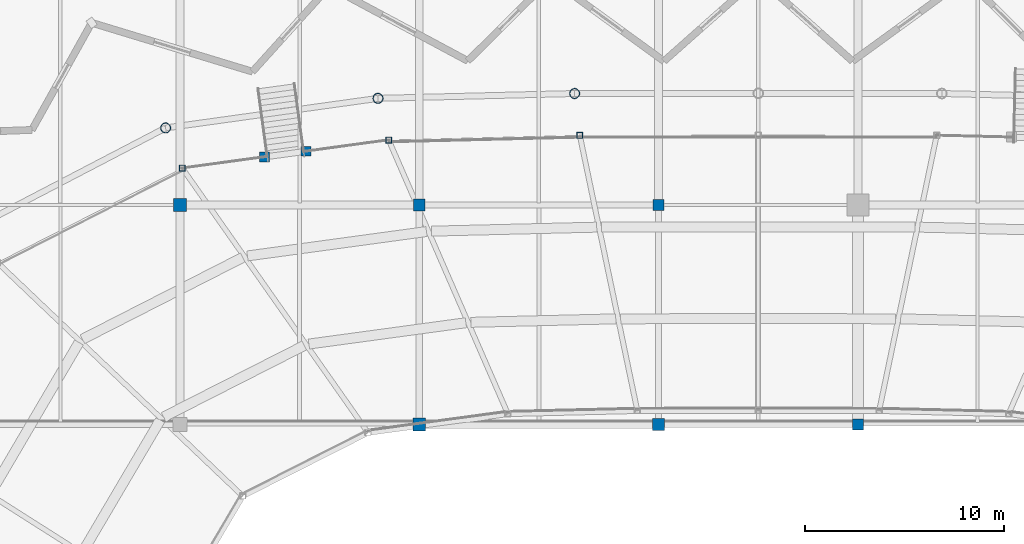
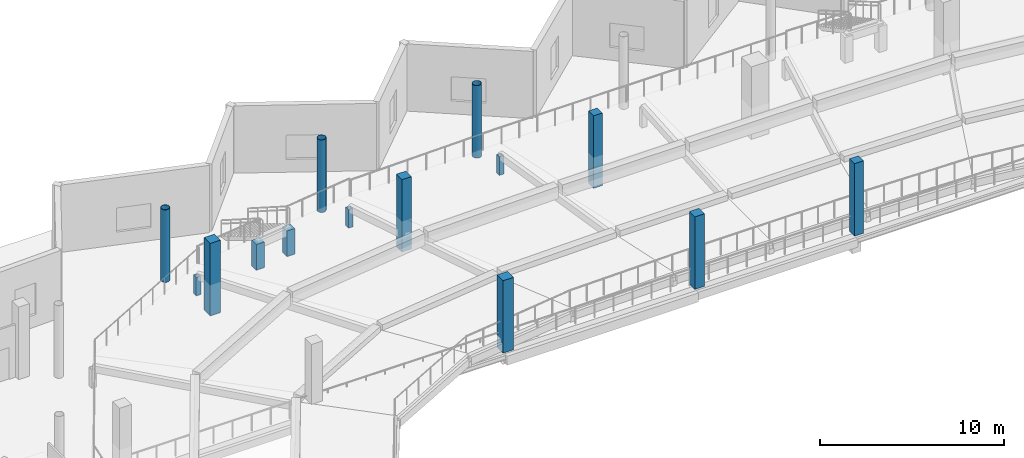
# One storey, part 10 of 77: 14 columns.
"""IFC4 building model written with IfcOpenShell, lengths in metres."""

from ifc_helpers import new_model, si_unit, direction, frame, origin, origin_2d, place, context, subcontext, project, spatial, rectangle, hollow_rectangle, hollow_circle, extrude, material, material_profile, profile_set, type_object, element, save


model = new_model("IFC4")

# Units and contexts
model_context = context("Model", 3, precision=1e-05, world=origin(), true_north=direction((0.0, 1.0)))
body_context = subcontext(model_context, "Body", "Model", "MODEL_VIEW")
ifc_project = project(units=[si_unit("LENGTHUNIT", "METRE"), si_unit("AREAUNIT", "SQUARE_METRE"), si_unit("VOLUMEUNIT", "CUBIC_METRE"), si_unit("PLANEANGLEUNIT", "RADIAN"), si_unit("MASSUNIT", "GRAM", prefix="KILO")], contexts=[model_context])

# Site, building, storey
site_placement = place(None, origin())
site = spatial("IfcSite", under=ifc_project, at=site_placement, CompositionType="ELEMENT")
building_placement = place(site_placement, origin())
building = spatial("IfcBuilding", under=site, at=building_placement, Name="Luwafu Chhajja Arena", CompositionType="ELEMENT")
storey_placement = place(building_placement, frame((0.0, 0.0, 14.699951171875)))
storey = spatial("IfcBuildingStorey", under=building, at=storey_placement, Name="L03", CompositionType="ELEMENT", Elevation=14.699951171875)

# Columns
ifc_material_1 = material(Name="Concrete C35/45", Category="concrete")
ifc_material_profile_1 = material_profile(ifc_material_1, rectangle(XDim=0.550048828125, YDim=0.550048828125, at=origin_2d()), Name="RC 550x550")
ifc_profile_set_1 = profile_set([ifc_material_profile_1], Name="Concrete C35/45")
column_type_1 = type_object("IfcColumnType", Name="Gallery Column RC 550", PredefinedType="COLUMN", material=ifc_profile_set_1)
for number, where, z_axis, x_axis, name in (
    (1, (94.0, 88.0, 0.0), (0.0, 0.0, 1.0), (1.0, 0.0, 0.0), "L03 Grid Column 9/J"),
    (2, (104.0, 77.0, 0.0), (0.0, 0.0, 1.0), (1.0, 0.0, 0.0), "L03 Grid Column 10/H"),
):
    element("IfcColumn", number, at=place(storey_placement, frame(where, z_axis=z_axis, x_axis=x_axis)), inside=storey, type_object=column_type_1, Name=name, PredefinedType="COLUMN", context=body_context, shape_type="SweptSolid", body=[
        extrude(rectangle(XDim=0.550048828125, YDim=0.550048828125, at=origin_2d()), origin(), (0.0, 0.0, 1.0), 4.800048828125),
    ])
ifc_material_profile_2 = material_profile(ifc_material_1, rectangle(XDim=0.60009765625, YDim=0.60009765625, at=origin_2d()), Name="RC 600x600")
ifc_profile_set_2 = profile_set([ifc_material_profile_2], Name="Concrete C35/45")
column_type_2 = type_object("IfcColumnType", Name="Mezzanine Column RC 600", PredefinedType="COLUMN", material=ifc_profile_set_2)
for number, where, z_axis, x_axis, name in (
    (3, (82.0, 88.0, 0.0), (0.0, 0.0, 1.0), (1.0, 0.0, 0.0), "L03 Grid Column 8/J"),
    (4, (94.0, 77.0, 0.0), (0.0, 0.0, 1.0), (1.0, 0.0, 0.0), "L03 Grid Column 9/H"),
):
    element("IfcColumn", number, at=place(storey_placement, frame(where, z_axis=z_axis, x_axis=x_axis)), inside=storey, type_object=column_type_2, Name=name, PredefinedType="COLUMN", context=body_context, shape_type="SweptSolid", body=[
        extrude(rectangle(XDim=0.60009765625, YDim=0.60009765625, at=origin_2d()), origin(), (0.0, 0.0, 1.0), 4.800048828125),
    ])
ifc_material_profile_3 = material_profile(ifc_material_1, rectangle(XDim=0.5, YDim=0.5, at=origin_2d()), Name="RC 500x500")
ifc_profile_set_3 = profile_set([ifc_material_profile_3], Name="Concrete C35/45")
column_type_3 = type_object("IfcColumnType", Name="Pavilion Column RC 500", PredefinedType="COLUMN", material=ifc_profile_set_3)
for number, where, z_axis, x_axis, name in (
    (5, (76.332763671875, 90.693115234375, 0.0), (0.0, 0.0, 1.0), (1.0, 0.0, 0.0), "L03 Vomitory Header Column VU11A"),
    (6, (74.251953125, 90.4091796875, 0.0), (0.0, 0.0, 1.0), (1.0, 0.0, 0.0), "L03 Vomitory Header Column VU11B"),
):
    element("IfcColumn", number, at=place(storey_placement, frame(where, z_axis=z_axis, x_axis=x_axis)), inside=storey, type_object=column_type_3, Name=name, PredefinedType="COLUMN", context=body_context, shape_type="SweptSolid", body=[
        extrude(rectangle(XDim=0.5, YDim=0.5, at=origin_2d()), origin(), (0.0, 0.0, 1.0), 1.699951171875),
    ])
ifc_material_2 = material(Name="Steel S355", Category="steel")
ifc_material_profile_4 = material_profile(ifc_material_2, hollow_rectangle(XDim=0.300048828125, YDim=0.300048828125, WallThickness=0.01611328125, at=origin_2d()), Name="SHS 300x300x16")
ifc_profile_set_4 = profile_set([ifc_material_profile_4], Name="Steel S355")
column_type_4 = type_object("IfcColumnType", Name="Steel Gallery Post SHS 300", PredefinedType="COLUMN", material=ifc_profile_set_4)
for number, where, z_axis, x_axis, name in (
    (7, (90.051513671875, 91.48876953125, 0.0), (0.0, 0.0, 1.0), (1.0, 0.0, 0.0), "L03 Upper Raker Rear Post 10"),
    (8, (80.46826171875, 91.2568359375, 0.0), (0.0, 0.0, 1.0), (1.0, 0.0, 0.0), "L03 Upper Raker Rear Post 11"),
    (9, (70.116455078125, 89.845458984375, 0.0), (0.0, 0.0, 1.0), (1.0, 0.0, 0.0), "L03 Upper Raker Rear Post 12"),
):
    element("IfcColumn", number, at=place(storey_placement, frame(where, z_axis=z_axis, x_axis=x_axis)), inside=storey, type_object=column_type_4, Name=name, PredefinedType="COLUMN", context=body_context, shape_type="SweptSolid", body=[
        extrude(hollow_rectangle(XDim=0.300048828125, YDim=0.300048828125, WallThickness=0.01611328125, at=origin_2d()), origin(), (0.0, 0.0, 1.0), 1.219970703125),
    ])
ifc_material_profile_5 = material_profile(ifc_material_2, hollow_circle(Radius=0.25390625, WallThickness=0.02001953125, at=origin_2d()), Name="CHS 508x20")
ifc_profile_set_5 = profile_set([ifc_material_profile_5], Name="Steel S355")
column_type_5 = type_object("IfcColumnType", Name="Steel Upper Drum Column CHS 508", PredefinedType="COLUMN", material=ifc_profile_set_5)
for number, where, z_axis, x_axis, name in (
    (10, (89.792724609375, 93.588134765625, 0.0), (0.0, 0.0, 1.0), (1.0, 0.0, 0.0), "L03 Bowl Drum Column D10"),
    (11, (79.932861328125, 93.3447265625, 0.0), (0.0, 0.0, 1.0), (1.0, 0.0, 0.0), "L03 Bowl Drum Column D11"),
    (12, (69.281982421875, 91.86279296875, 0.0), (0.0, 0.0, 1.0), (1.0, 0.0, 0.0), "L03 Bowl Drum Column D12"),
):
    element("IfcColumn", number, at=place(storey_placement, frame(where, z_axis=z_axis, x_axis=x_axis)), inside=storey, type_object=column_type_5, Name=name, PredefinedType="COLUMN", context=body_context, shape_type="SweptSolid", body=[
        extrude(hollow_circle(Radius=0.25390625, WallThickness=0.02001953125, at=origin_2d()), origin(), (0.0, 0.0, 1.0), 4.800048828125),
    ])
ifc_material_profile_6 = material_profile(ifc_material_1, rectangle(XDim=0.64990234375, YDim=0.64990234375, at=origin_2d()), Name="RC 650x650")
ifc_profile_set_6 = profile_set([ifc_material_profile_6], Name="Concrete C35/45")
column_type_6 = type_object("IfcColumnType", Name="Upper Wing Column RC 650", PredefinedType="COLUMN", material=ifc_profile_set_6)
for number, where, z_axis, x_axis, name in (
    (13, (70.0, 88.0, 0.0), (0.0, 0.0, 1.0), (1.0, 0.0, 0.0), "L03 Grid Column 7/J"),
    (14, (82.0, 77.0, 0.0), (0.0, 0.0, 1.0), (1.0, 0.0, 0.0), "L03 Grid Column 8/H"),
):
    element("IfcColumn", number, at=place(storey_placement, frame(where, z_axis=z_axis, x_axis=x_axis)), inside=storey, type_object=column_type_6, Name=name, PredefinedType="COLUMN", context=body_context, shape_type="SweptSolid", body=[
        extrude(rectangle(XDim=0.64990234375, YDim=0.64990234375, at=origin_2d()), origin(), (0.0, 0.0, 1.0), 4.800048828125),
    ])

save(model, "model.ifc")
